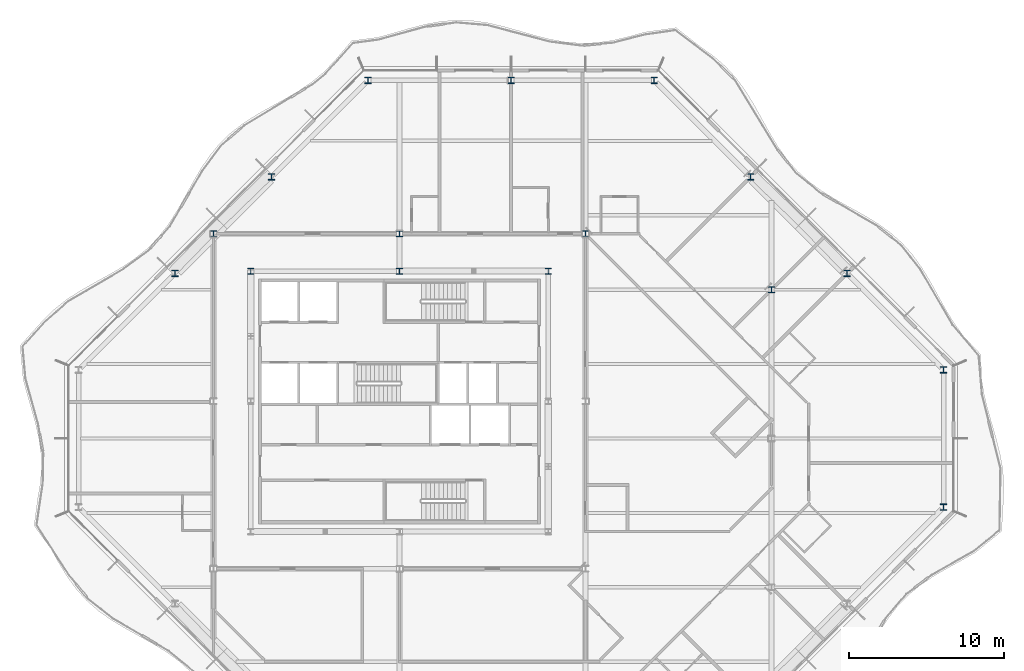
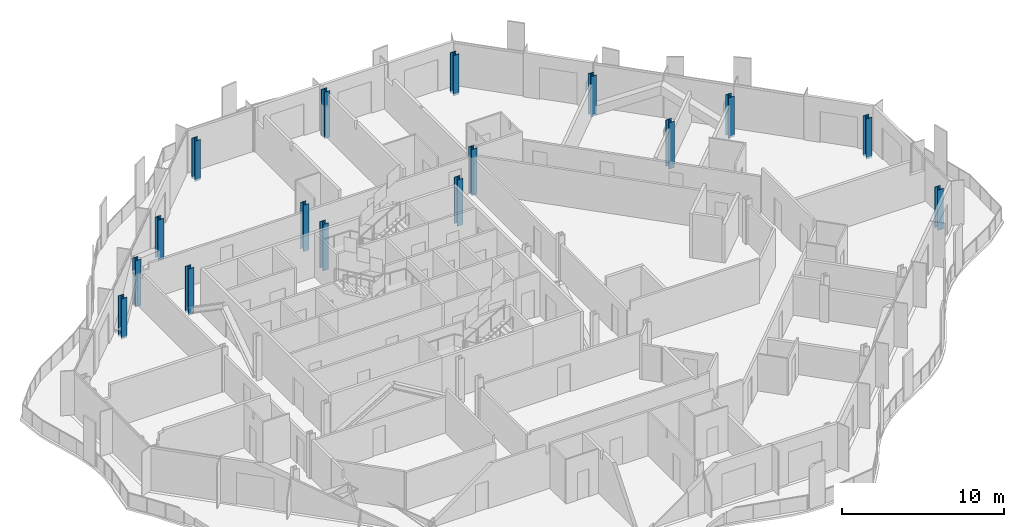
# One storey, part 2 of 17: 16 columns.
"""IFC4 building model written with IfcOpenShell, lengths in metres."""

from ifc_helpers import new_model, si_unit, direction, frame, origin, origin_2d, place, context, subcontext, project, spatial, i_section, extrude, clip, halfspace, material, material_profile, profile_set, type_object, element, save


model = new_model("IFC4")

# Units and contexts
model_context = context("Model", 3, precision=1e-05, world=origin(), true_north=direction((0.0, 1.0)))
body_context = subcontext(model_context, "Body", "Model", "MODEL_VIEW")
ifc_project = project(units=[si_unit("LENGTHUNIT", "METRE"), si_unit("AREAUNIT", "SQUARE_METRE"), si_unit("VOLUMEUNIT", "CUBIC_METRE"), si_unit("PLANEANGLEUNIT", "RADIAN"), si_unit("MASSUNIT", "GRAM", prefix="KILO")], contexts=[model_context])

# Site, building, storey
site_placement = place(None, origin())
site = spatial("IfcSite", under=ifc_project, at=site_placement, CompositionType="ELEMENT")
building_placement = place(site_placement, origin())
building = spatial("IfcBuilding", under=site, at=building_placement, Name="Cairn Pilgrim Tower", CompositionType="ELEMENT")
storey_placement = place(building_placement, frame((0.0, 0.0, 257.39990234375)))
storey = spatial("IfcBuildingStorey", under=building, at=storey_placement, Name="L66", CompositionType="ELEMENT", Elevation=257.39990234375)

# Columns
ifc_material_1 = material(Name="Structural steel S355J2", Category="steel")
ifc_material_profile_1 = material_profile(ifc_material_1, i_section(OverallWidth=0.39404296875, OverallDepth=0.375, WebThickness=0.017333984375, FlangeThickness=0.027587890625, FilletRadius=0.014892578125, at=origin_2d()), Name="HD 400x216")
ifc_profile_set_1 = profile_set([ifc_material_profile_1], Name="Structural steel S355J2")
column_type_1 = type_object("IfcColumnType", Name="HD 400x216", PredefinedType="COLUMN", material=ifc_profile_set_1)
for number, where, z_axis, x_axis, name in (
    (1, (-4.800048828125, 13.199951171875, -0.14990234375), (0.0, 0.0, 1.0), (1.0, 0.0, 0.0), "IC-6"),
    (2, (7.199951171875, 13.199951171875, -0.14990234375), (0.0, 0.0, 1.0), (1.0, 0.0, 0.0), "IC-7"),
    (3, (19.199951171875, 13.199951171875, -0.14990234375), (0.0, 0.0, 1.0), (1.0, 0.0, 0.0), "IC-8"),
):
    element("IfcColumn", number, at=place(storey_placement, frame(where, z_axis=z_axis, x_axis=x_axis)), inside=storey, type_object=column_type_1, Name=name, PredefinedType="COLUMN", context=body_context, shape_type="SweptSolid", body=[
        extrude(i_section(OverallWidth=0.39404296875, OverallDepth=0.375, WebThickness=0.017333984375, FlangeThickness=0.027587890625, FilletRadius=0.014892578125, at=origin_2d()), origin(), (0.0, 0.0, 1.0), 3.5),
    ])
ifc_material_profile_2 = material_profile(ifc_material_1, i_section(OverallWidth=0.39794921875, OverallDepth=0.386962890625, WebThickness=0.02099609375, FlangeThickness=0.033203125, FilletRadius=0.014892578125, at=origin_2d()), Name="HD 400x262")
ifc_profile_set_2 = profile_set([ifc_material_profile_2], Name="Structural steel S355J2")
column_type_2 = type_object("IfcColumnType", Name="HD 400x262", PredefinedType="COLUMN", material=ifc_profile_set_2)
for number, where, z_axis, x_axis, name in (
    (4, (-2.39990234375, 10.800048828125, -0.14990234375), (0.0, 0.0, 1.0), (1.0, 0.0, 0.0), "KC-6"),
    (5, (7.199951171875, 10.800048828125, -0.14990234375), (0.0, 0.0, 1.0), (1.0, 0.0, 0.0), "KC-7"),
    (6, (16.800048828125, 10.800048828125, -0.14990234375), (0.0, 0.0, 1.0), (1.0, 0.0, 0.0), "KC-8"),
):
    element("IfcColumn", number, at=place(storey_placement, frame(where, z_axis=z_axis, x_axis=x_axis)), inside=storey, type_object=column_type_2, Name=name, PredefinedType="COLUMN", context=body_context, shape_type="SweptSolid", body=[
        extrude(i_section(OverallWidth=0.39794921875, OverallDepth=0.386962890625, WebThickness=0.02099609375, FlangeThickness=0.033203125, FilletRadius=0.014892578125, at=origin_2d()), origin(), (0.0, 0.0, 1.0), 3.5),
    ])
ifc_material_profile_3 = material_profile(ifc_material_1, i_section(OverallWidth=0.39892578125, OverallDepth=0.39306640625, WebThickness=0.022705078125, FlangeThickness=0.03662109375, FilletRadius=0.014892578125, at=origin_2d()), Name="HD 400x287")
ifc_profile_set_3 = profile_set([ifc_material_profile_3], Name="Structural steel S355J2")
column_type_3 = type_object("IfcColumnType", Name="HD 400x287", PredefinedType="COLUMN", material=ifc_profile_set_3)
column_1_placement = place(storey_placement, frame((31.199951171875, 9.60009765625, -0.14990234375), z_axis=(0.0, 0.0, 1.0), x_axis=(1.0, 0.0, 0.0)))
element("IfcColumn", 7, at=column_1_placement, inside=storey, type_object=column_type_3, Name="WC-WE+2", PredefinedType="COLUMN", context=body_context, shape_type="SweptSolid", body=[
    extrude(i_section(OverallWidth=0.39892578125, OverallDepth=0.39306640625, WebThickness=0.022705078125, FlangeThickness=0.03662109375, FilletRadius=0.014892578125, at=origin_2d()), origin(), (0.0, 0.0, 1.0), 3.5),
])
ifc_material_2 = material(Name="Structural steel S460M", Category="steel")
ifc_material_profile_4 = material_profile(ifc_material_2, i_section(OverallWidth=0.404052734375, OverallDepth=0.406982421875, WebThickness=0.027099609375, FlangeThickness=0.043701171875, FilletRadius=0.014892578125, at=origin_2d()), Name="HD 400x347")
ifc_profile_set_4 = profile_set([ifc_material_profile_4], Name="Structural steel S460M")
column_type_4 = type_object("IfcColumnType", Name="HD 400x347", PredefinedType="COLUMN", material=ifc_profile_set_4)
for number, where, z_axis, x_axis, name in (
    (8, (42.300048828125, -4.42724609375, -0.14990234375), (0.0, 0.0, 1.0), (1.0, 0.0, 0.0), "PC3-E1"),
    (9, (42.300048828125, 4.42724609375, -0.14990234375), (0.0, 0.0, 1.0), (1.0, 0.0, 0.0), "PC3-NE1"),
    (10, (36.07568359375, 10.651611328125, -0.14990234375), (0.0, 0.0, 1.0), (1.0, 0.0, 0.0), "PC3-NE2"),
    (11, (29.8515625, 16.875732421875, -0.14990234375), (0.0, 0.0, 1.0), (1.0, 0.0, 0.0), "PC3-NE3"),
    (12, (23.627197265625, 23.10009765625, -0.14990234375), (0.0, 0.0, 1.0), (1.0, 0.0, 0.0), "PC3-N1"),
):
    element("IfcColumn", number, at=place(storey_placement, frame(where, z_axis=z_axis, x_axis=x_axis)), inside=storey, type_object=column_type_4, Name=name, PredefinedType="COLUMN", context=body_context, shape_type="Clipping", body=[
        clip(extrude(i_section(OverallWidth=0.404052734375, OverallDepth=0.406982421875, WebThickness=0.027099609375, FlangeThickness=0.043701171875, FilletRadius=0.014892578125, at=origin_2d()), origin(), (0.0, 0.0, 1.0), 3.5), halfspace(frame((0.0, 0.0, 3.050048828125), z_axis=(0.0, 0.0, 1.0), x_axis=(1.0, 0.0, 0.0)), False)),
    ])
column_2_placement = place(storey_placement, frame((14.39990234375, 23.10009765625, -0.14990234375), z_axis=(0.0, 0.0, 1.0), x_axis=(1.0, 0.0, 0.0)))
element("IfcColumn", 13, at=column_2_placement, inside=storey, type_object=column_type_4, Name="PC3-N2", PredefinedType="COLUMN", context=body_context, shape_type="SweptSolid", body=[
    extrude(i_section(OverallWidth=0.404052734375, OverallDepth=0.406982421875, WebThickness=0.027099609375, FlangeThickness=0.043701171875, FilletRadius=0.014892578125, at=origin_2d()), origin(), (0.0, 0.0, 1.0), 3.5),
])
for number, where, z_axis, x_axis, name in (
    (14, (5.1728515625, 23.10009765625, -0.14990234375), (0.0, 0.0, 1.0), (1.0, 0.0, 0.0), "PC3-NW1"),
    (15, (-1.051513671875, 16.875732421875, -0.14990234375), (0.0, 0.0, 1.0), (1.0, 0.0, 0.0), "PC3-NW2"),
    (16, (-7.275634765625, 10.651611328125, -0.14990234375), (0.0, 0.0, 1.0), (1.0, 0.0, 0.0), "PC3-NW3"),
):
    element("IfcColumn", number, at=place(storey_placement, frame(where, z_axis=z_axis, x_axis=x_axis)), inside=storey, type_object=column_type_4, Name=name, PredefinedType="COLUMN", context=body_context, shape_type="Clipping", body=[
        clip(extrude(i_section(OverallWidth=0.404052734375, OverallDepth=0.406982421875, WebThickness=0.027099609375, FlangeThickness=0.043701171875, FilletRadius=0.014892578125, at=origin_2d()), origin(), (0.0, 0.0, 1.0), 3.5), halfspace(frame((0.0, 0.0, 3.050048828125), z_axis=(0.0, 0.0, 1.0), x_axis=(1.0, 0.0, 0.0)), False)),
    ])

save(model, "model.ifc")
